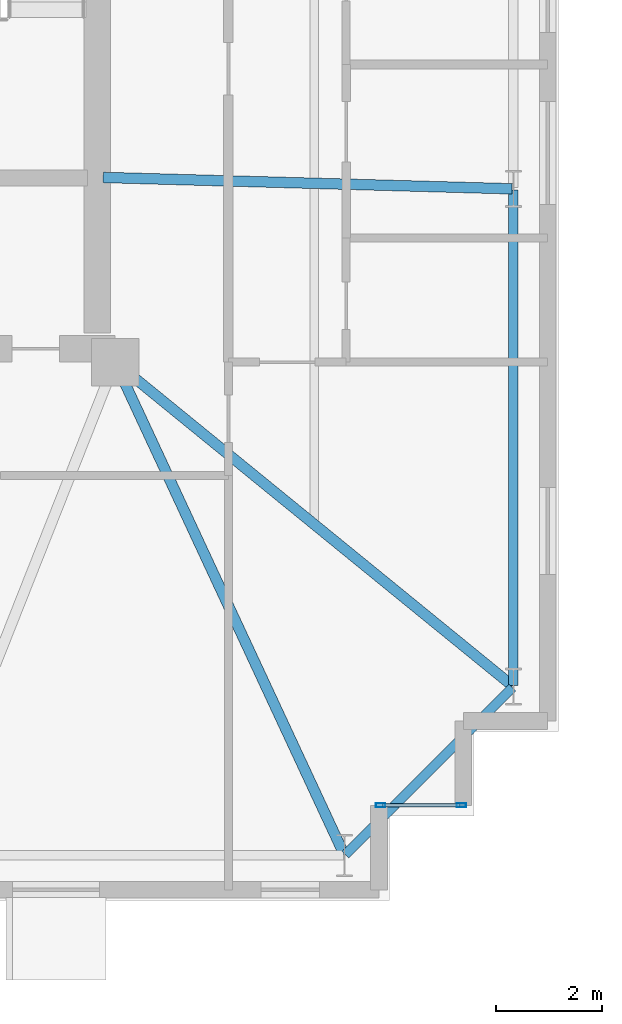
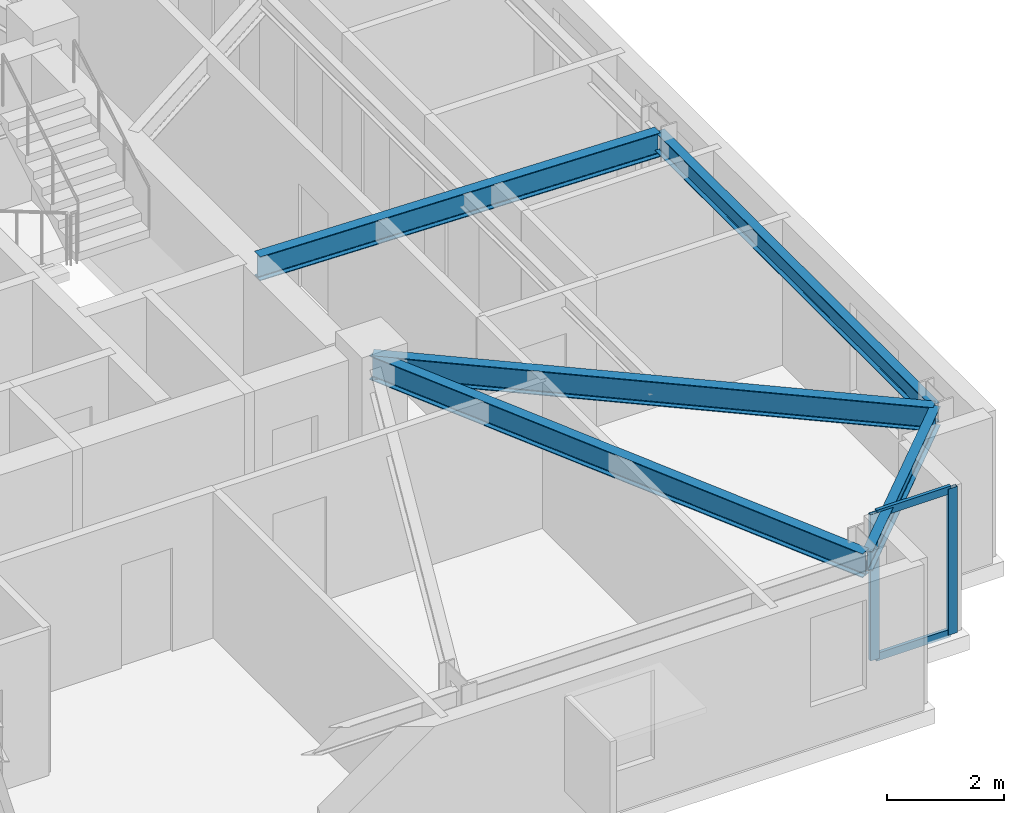
# One storey, part 5 of 17: 5 beams, 4 members, 1 element without a shape of its own.
"""IFC4 building model written with IfcOpenShell, lengths in metres."""

from ifc_helpers import new_model, si_unit, direction, frame, origin, origin_2d, place, context, subcontext, project, spatial, hollow_rectangle, i_section, extrude, material, layer, layer_set, material_profile, profile_set, type_object, element, aggregate, save


model = new_model("IFC4")

# Units and contexts
model_context = context("Model", 3, precision=1e-05, world=origin(), true_north=direction((0.0, 1.0)))
body_context = subcontext(model_context, "Body", "Model", "MODEL_VIEW")
ifc_project = project(units=[si_unit("LENGTHUNIT", "METRE"), si_unit("AREAUNIT", "SQUARE_METRE"), si_unit("VOLUMEUNIT", "CUBIC_METRE"), si_unit("PLANEANGLEUNIT", "RADIAN"), si_unit("MASSUNIT", "GRAM", prefix="KILO")], contexts=[model_context])

# Site, building, storey
site_placement = place(None, origin())
site = spatial("IfcSite", under=ifc_project, at=site_placement, CompositionType="ELEMENT")
building_placement = place(site_placement, origin())
building = spatial("IfcBuilding", under=site, at=building_placement, Name="Qobustan Lattice House", CompositionType="ELEMENT")
storey_placement = place(building_placement, frame((0.0, 0.0, 157.800048828125)))
storey = spatial("IfcBuildingStorey", under=building, at=storey_placement, Name="L44", CompositionType="ELEMENT", Elevation=157.800048828125)

# Beams
ifc_material_1 = material(Name="Steel S355", Category="steel")
ifc_material_profile_1 = material_profile(ifc_material_1, i_section(OverallWidth=0.199951171875, OverallDepth=0.5, WebThickness=0.01025390625, FlangeThickness=0.01611328125, FilletRadius=0.02099609375, at=origin_2d()), Name="IPE500")
ifc_profile_set_1 = profile_set([ifc_material_profile_1], Name="Steel S355")
beam_type_1 = type_object("IfcBeamType", Name="BM-FLG-IPE500", PredefinedType="USERDEFINED", material=ifc_profile_set_1)
beam_1_placement = place(storey_placement, frame((23.139404296875, -14.92724609375, 2.7900390625), z_axis=(-0.421827633168, 0.906676043521, 0.0), x_axis=(-0.906676043521, -0.421827633168, 0.0)))
element("IfcBeam", 1, at=beam_1_placement, inside=storey, type_object=beam_type_1, Name="L44 primary floor girder RAD-S7E", ObjectType="GIRDER", PredefinedType="USERDEFINED", context=body_context, shape_type="SweptSolid", body=[
    extrude(i_section(OverallWidth=0.199951171875, OverallDepth=0.5, WebThickness=0.01025390625, FlangeThickness=0.01611328125, FilletRadius=0.02099609375, at=origin_2d()), origin(), (0.0, 0.0, 1.0), 10.26220703125),
])
beam_2_placement = place(storey_placement, frame((26.324951171875, -2.31591796875, 2.7900390625), z_axis=(-0.999614226396, 0.027774059592, 0.0), x_axis=(-0.027774059592, -0.999614226396, 0.0)))
element("IfcBeam", 2, at=beam_2_placement, inside=storey, type_object=beam_type_1, Name="L44 primary floor girder RAD-E2", ObjectType="GIRDER", PredefinedType="USERDEFINED", context=body_context, shape_type="SweptSolid", body=[
    extrude(i_section(OverallWidth=0.199951171875, OverallDepth=0.5, WebThickness=0.01025390625, FlangeThickness=0.01611328125, FilletRadius=0.02099609375, at=origin_2d()), origin(), (0.0, 0.0, 1.0), 7.7529296875),
])
beam_3_placement = place(storey_placement, frame((26.33056640625, -11.734130859375, 2.7900390625), z_axis=(-0.775328675038, 0.631557951152, 0.0), x_axis=(-0.631557951152, -0.775328675038, 0.0)))
element("IfcBeam", 3, at=beam_3_placement, inside=storey, type_object=beam_type_1, Name="L44 primary floor girder RAD-E1", ObjectType="GIRDER", PredefinedType="USERDEFINED", context=body_context, shape_type="SweptSolid", body=[
    extrude(i_section(OverallWidth=0.199951171875, OverallDepth=0.5, WebThickness=0.01025390625, FlangeThickness=0.01611328125, FilletRadius=0.02099609375, at=origin_2d()), origin(), (0.0, 0.0, 1.0), 9.687744140625),
])
ifc_material_2 = material(Name="Steel S355", Category="steel")
ifc_material_profile_2 = material_profile(ifc_material_2, i_section(OverallWidth=0.179931640625, OverallDepth=0.39990234375, WebThickness=0.008544921875, FlangeThickness=0.013427734375, FilletRadius=0.02099609375, at=origin_2d()), Name="IPE400")
ifc_profile_set_2 = profile_set([ifc_material_profile_2], Name="Steel S355")
beam_type_2 = type_object("IfcBeamType", Name="BM-SPD-IPE400", PredefinedType="SPANDREL", material=ifc_profile_set_2)
beam_4_placement = place(storey_placement, frame((23.167724609375, -14.932373046875, 2.83984375), z_axis=(0.707079505568, 0.707134055753, 0.0), x_axis=(-0.707134055753, 0.707079505568, 0.0)))
element("IfcBeam", 4, at=beam_4_placement, inside=storey, type_object=beam_type_2, Name="L44 perimeter spandrel S7-E1", PredefinedType="SPANDREL", context=body_context, shape_type="SweptSolid", body=[
    extrude(i_section(OverallWidth=0.179931640625, OverallDepth=0.39990234375, WebThickness=0.008544921875, FlangeThickness=0.013427734375, FilletRadius=0.02099609375, at=origin_2d()), origin(), (0.0, 0.0, 1.0), 4.4755859375),
])
beam_5_placement = place(storey_placement, frame((26.35009765625, -11.72509765625, 2.83984375), z_axis=(0.0, 1.0, 0.0), x_axis=(-1.0, 0.0, 0.0)))
element("IfcBeam", 5, at=beam_5_placement, inside=storey, type_object=beam_type_2, Name="L44 perimeter spandrel E1-E2", PredefinedType="SPANDREL", context=body_context, shape_type="SweptSolid", body=[
    extrude(i_section(OverallWidth=0.179931640625, OverallDepth=0.39990234375, WebThickness=0.008544921875, FlangeThickness=0.013427734375, FilletRadius=0.02099609375, at=origin_2d()), origin(), (0.0, 0.0, 1.0), 9.38330078125),
])

# Curtain wall, members
ifc_material_3 = material(Name="Anodised aluminium and low-E glazing", Category="aluminium")
ifc_layer = layer(ifc_material_3, 0.219970703125)
ifc_layer_set = layer_set([ifc_layer], Name="Anodised aluminium and low-E glazing")
curtain_wall_type = type_object("IfcCurtainWallType", Name="CW-FAC-02", PredefinedType="USERDEFINED", material=ifc_layer_set)
curtain_wall_placement = place(storey_placement, origin())
curtain_wall = element("IfcCurtainWall", 6, at=curtain_wall_placement, inside=storey, type_object=curtain_wall_type, Name="L44 serrated corner faceted glazing 18", ObjectType="CURTAIN WALL", PredefinedType="USERDEFINED")
ifc_material_4 = material(Name="Anodised aluminium EN AW-6063 T6", Category="aluminium")
ifc_material_profile_3 = material_profile(ifc_material_4, hollow_rectangle(XDim=0.070068359375, YDim=0.179931640625, WallThickness=0.00439453125, at=origin_2d()), Name="CWM-180x70")
ifc_profile_set_3 = profile_set([ifc_material_profile_3], Name="Anodised aluminium EN AW-6063 T6")
member_type_1 = type_object("IfcMemberType", Name="CWM-STD-180", PredefinedType="MULLION", material=ifc_profile_set_3)
member_1_placement = place(storey_placement, frame((25.364990234375, -14.0, 0.0), z_axis=(0.0, 0.0, 1.0), x_axis=(0.0, -1.0, 0.0)))
member_1 = element("IfcMember", 7, at=member_1_placement, type_object=member_type_1, Name="CW-F2 mullion 1", PredefinedType="MULLION", context=body_context, shape_type="SweptSolid", body=[
    extrude(hollow_rectangle(XDim=0.070068359375, YDim=0.179931640625, WallThickness=0.00439453125, at=origin_2d()), origin(), (0.0, 0.0, 1.0), 3.0400390625),
])
member_2_placement = place(storey_placement, frame((23.8349609375, -14.0, 0.0), z_axis=(0.0, 0.0, 1.0), x_axis=(0.0, -1.0, 0.0)))
member_2 = element("IfcMember", 8, at=member_2_placement, type_object=member_type_1, Name="CW-F2 mullion 2", PredefinedType="MULLION", context=body_context, shape_type="SweptSolid", body=[
    extrude(hollow_rectangle(XDim=0.070068359375, YDim=0.179931640625, WallThickness=0.00439453125, at=origin_2d()), origin(), (0.0, 0.0, 1.0), 3.0400390625),
])
ifc_material_5 = material(Name="Anodised aluminium EN AW-6063 T6", Category="aluminium")
ifc_material_profile_4 = material_profile(ifc_material_5, hollow_rectangle(XDim=0.06494140625, YDim=0.159912109375, WallThickness=0.00390625, at=origin_2d()), Name="CWT-160x65")
ifc_profile_set_4 = profile_set([ifc_material_profile_4], Name="Anodised aluminium EN AW-6063 T6")
member_type_2 = type_object("IfcMemberType", Name="CWT-HOR-160", PredefinedType="USERDEFINED", material=ifc_profile_set_4)
member_3_placement = place(storey_placement, frame((25.330078125, -14.0, 0.032470703125), z_axis=(-1.0, 0.0, 0.0), x_axis=(0.0, -1.0, 0.0)))
member_3 = element("IfcMember", 9, at=member_3_placement, type_object=member_type_2, Name="CW-F2 transom 1.1", ObjectType="TRANSOM", PredefinedType="USERDEFINED", context=body_context, shape_type="SweptSolid", body=[
    extrude(hollow_rectangle(XDim=0.06494140625, YDim=0.159912109375, WallThickness=0.00390625, at=origin_2d()), origin(), (0.0, 0.0, 1.0), 1.4599609375),
])
member_4_placement = place(storey_placement, frame((25.330078125, -14.0, 3.007568359375), z_axis=(-1.0, 0.0, 0.0), x_axis=(0.0, -1.0, 0.0)))
member_4 = element("IfcMember", 10, at=member_4_placement, type_object=member_type_2, Name="CW-F2 transom 1.2", ObjectType="TRANSOM", PredefinedType="USERDEFINED", context=body_context, shape_type="SweptSolid", body=[
    extrude(hollow_rectangle(XDim=0.06494140625, YDim=0.159912109375, WallThickness=0.00390625, at=origin_2d()), origin(), (0.0, 0.0, 1.0), 1.4599609375),
])
aggregate(curtain_wall, [member_1, member_2, member_3, member_4])

save(model, "model.ifc")
